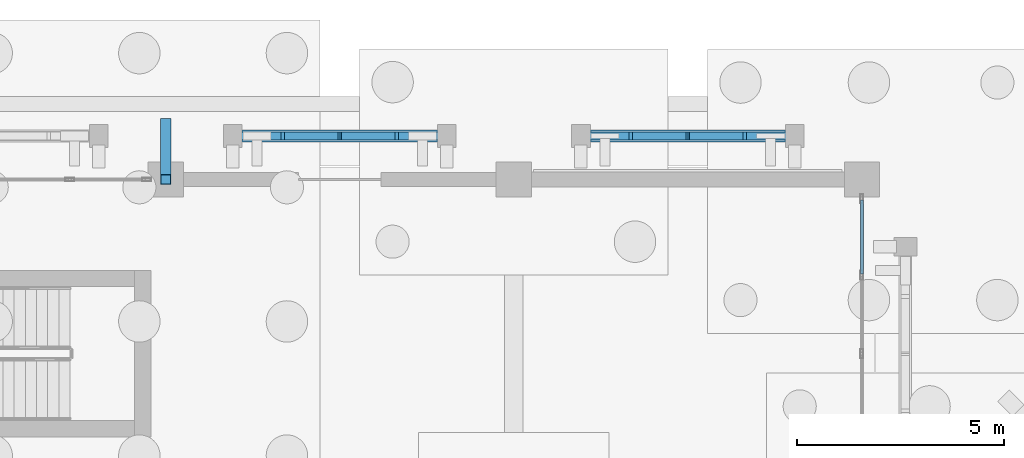
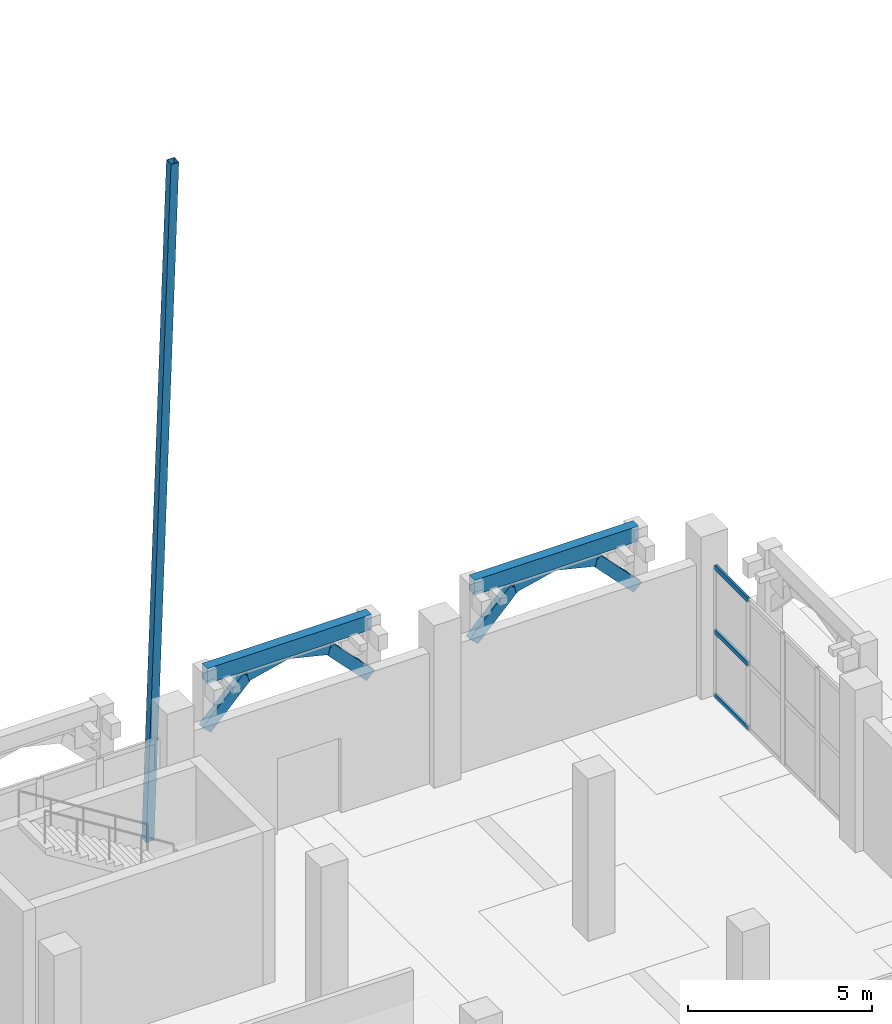
# One storey, part 39 of 98: 12 members, 2 beams, 1 element without a shape of its own.
"""IFC4 building model written with IfcOpenShell, lengths in metres."""

from ifc_helpers import new_model, si_unit, direction, frame, origin, origin_2d, place, context, subcontext, project, spatial, rectangle, hollow_rectangle, extrude, material, layer, layer_set, material_profile, profile_set, type_object, element, aggregate, save


model = new_model("IFC4")

# Units and contexts
model_context = context("Model", 3, precision=1e-05, world=origin(), true_north=direction((0.0, 1.0)))
body_context = subcontext(model_context, "Body", "Model", "MODEL_VIEW")
ifc_project = project(units=[si_unit("LENGTHUNIT", "METRE"), si_unit("AREAUNIT", "SQUARE_METRE"), si_unit("VOLUMEUNIT", "CUBIC_METRE"), si_unit("PLANEANGLEUNIT", "RADIAN"), si_unit("MASSUNIT", "GRAM", prefix="KILO")], contexts=[model_context])

# Site, building, storey
site_placement = place(None, origin())
site = spatial("IfcSite", under=ifc_project, at=site_placement, CompositionType="ELEMENT")
building_placement = place(site_placement, origin())
building = spatial("IfcBuilding", under=site, at=building_placement, Name="Xazarin Passage Department Store", CompositionType="ELEMENT")
storey_placement = place(building_placement, origin())
storey = spatial("IfcBuildingStorey", under=building, at=storey_placement, Name="L00", CompositionType="ELEMENT", Elevation=0.0)

# Curtain wall, members
ifc_material_1 = material(Name="Bronze anodised aluminium", Category="aluminium")
ifc_layer = layer(ifc_material_1, 0.179931640625)
ifc_layer_set = layer_set([ifc_layer], Name="Bronze anodised aluminium")
curtain_wall_type = type_object("IfcCurtainWallType", Name="ARC-CW-VIT1", PredefinedType="NOTDEFINED", material=ifc_layer_set)
curtain_wall_placement = place(storey_placement, origin())
curtain_wall = element("IfcCurtainWall", 1, at=curtain_wall_placement, inside=storey, type_object=curtain_wall_type, Name="L00 V1 Curtain Wall 007", PredefinedType="NOTDEFINED")
ifc_material_profile_1 = material_profile(ifc_material_1, hollow_rectangle(XDim=0.074951171875, YDim=0.159912109375, WallThickness=0.00439453125, at=origin_2d()), Name="ALU 75x160")
ifc_profile_set_1 = profile_set([ifc_material_profile_1], Name="Bronze anodised aluminium")
member_type_1 = type_object("IfcMemberType", Name="ARC-CWT-75x160", PredefinedType="USERDEFINED", material=ifc_profile_set_1)
member_1_placement = place(storey_placement, frame((50.39990234375, 107.72509765625, 0.03759765625), z_axis=(0.0, 1.0, 0.0), x_axis=(-1.0, 0.0, 0.0)))
member_1 = element("IfcMember", 2, at=member_1_placement, type_object=member_type_1, Name="CW1 transom 4.1", ObjectType="TRANSOM", PredefinedType="USERDEFINED", context=body_context, shape_type="SweptSolid", body=[
    extrude(hollow_rectangle(XDim=0.074951171875, YDim=0.159912109375, WallThickness=0.00439453125, at=origin_2d()), origin(), (0.0, 0.0, 1.0), 1.77490234375),
])
member_2_placement = place(storey_placement, frame((50.39990234375, 107.72509765625, 2.175048828125), z_axis=(0.0, 1.0, 0.0), x_axis=(-1.0, 0.0, 0.0)))
member_2 = element("IfcMember", 3, at=member_2_placement, type_object=member_type_1, Name="CW1 transom 4.2", ObjectType="TRANSOM", PredefinedType="USERDEFINED", context=body_context, shape_type="SweptSolid", body=[
    extrude(hollow_rectangle(XDim=0.074951171875, YDim=0.159912109375, WallThickness=0.00439453125, at=origin_2d()), origin(), (0.0, 0.0, 1.0), 1.77490234375),
])
member_3_placement = place(storey_placement, frame((50.39990234375, 107.72509765625, 4.3125), z_axis=(0.0, 1.0, 0.0), x_axis=(-1.0, 0.0, 0.0)))
member_3 = element("IfcMember", 4, at=member_3_placement, type_object=member_type_1, Name="CW1 transom 4.3", ObjectType="TRANSOM", PredefinedType="USERDEFINED", context=body_context, shape_type="SweptSolid", body=[
    extrude(hollow_rectangle(XDim=0.074951171875, YDim=0.159912109375, WallThickness=0.00439453125, at=origin_2d()), origin(), (0.0, 0.0, 1.0), 1.77490234375),
])
aggregate(curtain_wall, [member_1, member_2, member_3])

# Beams
ifc_material_2 = material(Name="Concrete C35/45", Category="concrete")
ifc_material_profile_2 = material_profile(ifc_material_2, rectangle(XDim=0.300048828125, YDim=0.5, at=origin_2d()), Name="RC 300x500")
ifc_profile_set_2 = profile_set([ifc_material_profile_2], Name="Concrete C35/45")
beam_type = type_object("IfcBeamType", Name="STR-BM-LN300x500", PredefinedType="LINTEL", material=ifc_profile_set_2)
for number, where, z_axis, x_axis, name in (
    (5, (35.219970703125, 111.050048828125, 5.14990234375), (1.0, 0.0, 0.0), (0.0, 1.0, 0.0), "L00 V1 Colonnade Spandrel Beam 003"),
    (6, (43.6201171875, 111.050048828125, 5.14990234375), (1.0, 0.0, 0.0), (0.0, 1.0, 0.0), "L00 V1 Colonnade Spandrel Beam 004"),
):
    element("IfcBeam", number, at=place(storey_placement, frame(where, z_axis=z_axis, x_axis=x_axis)), inside=storey, type_object=beam_type, Name=name, PredefinedType="LINTEL", context=body_context, shape_type="SweptSolid", body=[
        extrude(rectangle(XDim=0.300048828125, YDim=0.5, at=origin_2d()), origin(), (0.0, 0.0, 1.0), 5.159912109375),
    ])

# Members
ifc_material_3 = material(Name="Concrete C40/50", Category="concrete")
ifc_material_profile_3 = material_profile(ifc_material_3, rectangle(XDim=0.199951171875, YDim=0.360107421875, at=origin_2d()), Name="RC 200x360")
ifc_profile_set_3 = profile_set([ifc_material_profile_3], Name="Concrete C40/50")
member_type_2 = type_object("IfcMemberType", Name="STR-MEM-ARC360", PredefinedType="CHORD", material=ifc_profile_set_3)
member_4_placement = place(storey_placement, frame((35.219970703125, 111.050048828125, 3.330078125), z_axis=(0.693460080602, 0.0, 0.720495049679), x_axis=(0.0, 1.0, 0.0)))
element("IfcMember", 7, at=member_4_placement, inside=storey, type_object=member_type_2, Name="L00 V1 Pierced Lattice Curved Arch 003.1", PredefinedType="CHORD", context=body_context, shape_type="SweptSolid", body=[
    extrude(rectangle(XDim=0.199951171875, YDim=0.360107421875, at=origin_2d()), origin(), (0.0, 0.0, 1.0), 1.8603515625),
])
for number, where, z_axis, x_axis, name in (
    (8, (36.510009765625, 111.050048828125, 4.67041015625), (0.972393983317, 0.0, 0.233345111818), (0.0, 1.0, 0.0), "L00 V1 Pierced Lattice Curved Arch 003.2"),
    (9, (37.800048828125, 111.050048828125, 4.97998046875), (0.972393983317, 0.0, -0.233345111818), (0.0, 1.0, 0.0), "L00 V1 Pierced Lattice Curved Arch 003.3"),
):
    element("IfcMember", number, at=place(storey_placement, frame(where, z_axis=z_axis, x_axis=x_axis)), inside=storey, type_object=member_type_2, Name=name, PredefinedType="CHORD", context=body_context, shape_type="SweptSolid", body=[
        extrude(rectangle(XDim=0.199951171875, YDim=0.360107421875, at=origin_2d()), origin(), (0.0, 0.0, 1.0), 1.32666015625),
    ])
for number, where, z_axis, x_axis, name in (
    (10, (39.090087890625, 111.050048828125, 4.67041015625), (0.693391944082, 0.0, -0.720560623322), (0.0, 1.0, 0.0), "L00 V1 Pierced Lattice Curved Arch 003.4"),
    (11, (43.6201171875, 111.050048828125, 3.330078125), (0.693391944082, 0.0, 0.720560623322), (0.0, 1.0, 0.0), "L00 V1 Pierced Lattice Curved Arch 004.1"),
):
    element("IfcMember", number, at=place(storey_placement, frame(where, z_axis=z_axis, x_axis=x_axis)), inside=storey, type_object=member_type_2, Name=name, PredefinedType="CHORD", context=body_context, shape_type="SweptSolid", body=[
        extrude(rectangle(XDim=0.199951171875, YDim=0.360107421875, at=origin_2d()), origin(), (0.0, 0.0, 1.0), 1.860107421875),
    ])
for number, where, z_axis, x_axis, name in (
    (12, (44.909912109375, 111.050048828125, 4.67041015625), (0.972393983317, 0.0, 0.233345111818), (0.0, 1.0, 0.0), "L00 V1 Pierced Lattice Curved Arch 004.2"),
    (13, (46.199951171875, 111.050048828125, 4.97998046875), (0.972393983317, 0.0, -0.233345111818), (0.0, 1.0, 0.0), "L00 V1 Pierced Lattice Curved Arch 004.3"),
):
    element("IfcMember", number, at=place(storey_placement, frame(where, z_axis=z_axis, x_axis=x_axis)), inside=storey, type_object=member_type_2, Name=name, PredefinedType="CHORD", context=body_context, shape_type="SweptSolid", body=[
        extrude(rectangle(XDim=0.199951171875, YDim=0.360107421875, at=origin_2d()), origin(), (0.0, 0.0, 1.0), 1.32666015625),
    ])
member_5_placement = place(storey_placement, frame((47.489990234375, 111.050048828125, 4.67041015625), z_axis=(0.693460080602, 0.0, -0.720495049679), x_axis=(0.0, 1.0, 0.0)))
element("IfcMember", 14, at=member_5_placement, inside=storey, type_object=member_type_2, Name="L00 V1 Pierced Lattice Curved Arch 004.4", PredefinedType="CHORD", context=body_context, shape_type="SweptSolid", body=[
    extrude(rectangle(XDim=0.199951171875, YDim=0.360107421875, at=origin_2d()), origin(), (0.0, 0.0, 1.0), 1.8603515625),
])
ifc_material_4 = material(Name="Steel S355", Category="steel")
ifc_material_profile_4 = material_profile(ifc_material_4, hollow_rectangle(XDim=0.25, YDim=0.25, WallThickness=0.012451171875, at=origin_2d()), Name="SHS 250x250x12.5")
ifc_profile_set_4 = profile_set([ifc_material_profile_4], Name="Steel S355")
member_type_3 = type_object("IfcMemberType", Name="STR-MEM-SHS250", PredefinedType="BRACE", material=ifc_profile_set_4)
member_6_placement = place(storey_placement, frame((33.60009765625, 111.35009765625, 0.030029296875), z_axis=(0.0, -0.057674695989, 0.998335429324), x_axis=(1.0, 0.0, 0.0)))
element("IfcMember", 15, at=member_6_placement, inside=storey, type_object=member_type_3, Name="Sculpted Raked Concrete Buttress BUT-V1-N2", PredefinedType="BRACE", context=body_context, shape_type="SweptSolid", body=[
    extrude(hollow_rectangle(XDim=0.25, YDim=0.25, WallThickness=0.012451171875, at=origin_2d()), origin(), (0.0, 0.0, 1.0), 23.408935546875),
])

save(model, "model.ifc")
